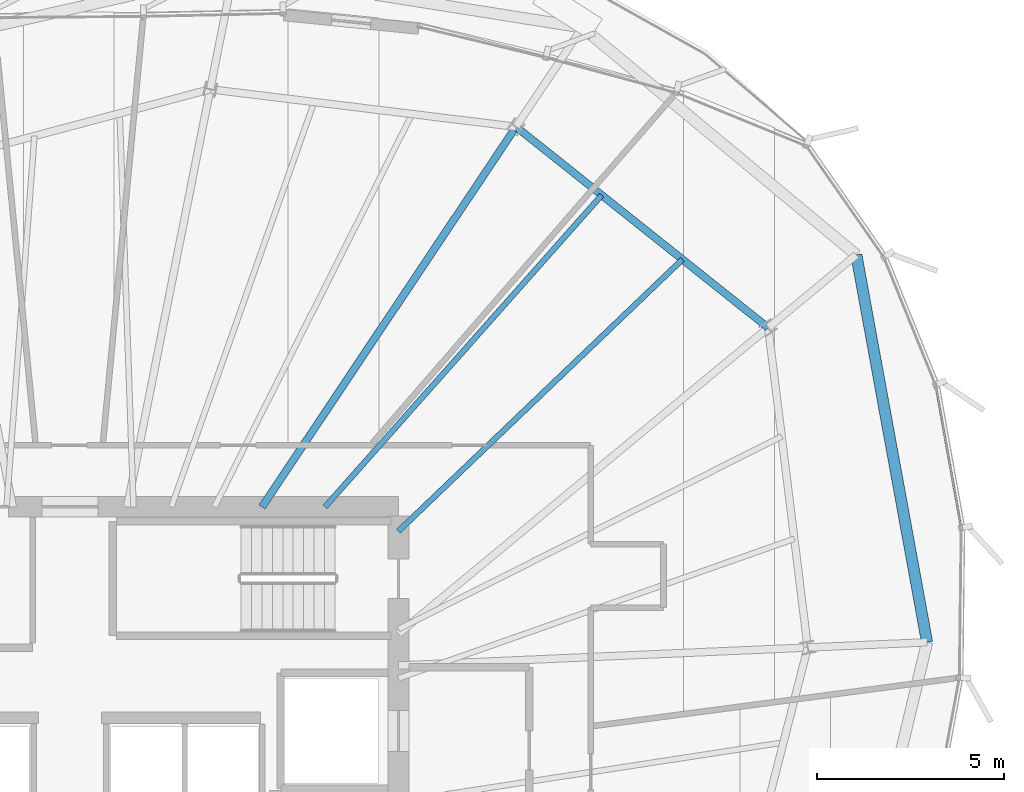
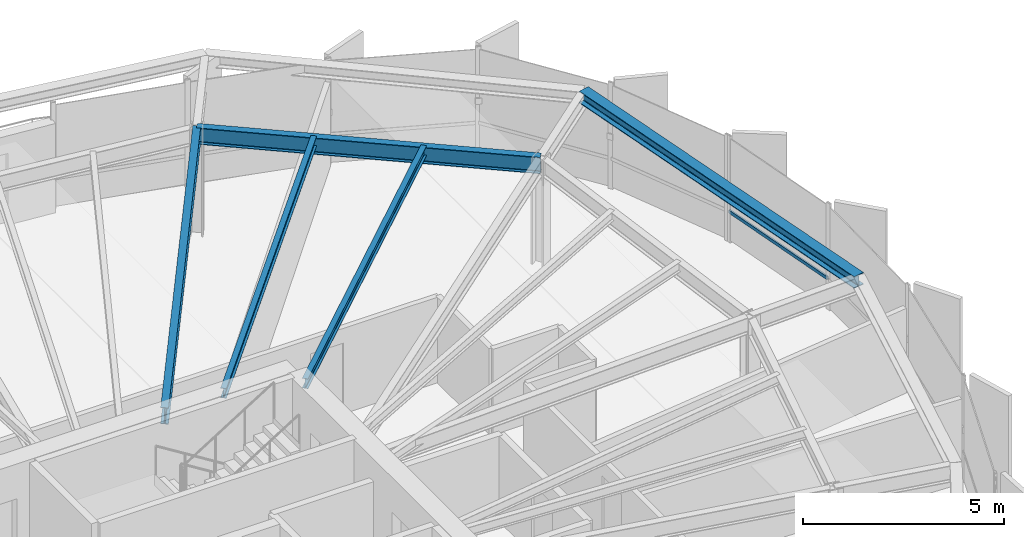
# One storey, part 27 of 37: 5 beams, 1 member, 1 element without a shape of its own.
"""IFC4 building model written with IfcOpenShell, lengths in metres."""

from ifc_helpers import new_model, si_unit, direction, frame, origin, origin_2d, place, context, subcontext, project, spatial, hollow_rectangle, i_section, extrude, source, transform, mapped, material, layer, layer_set, material_profile, profile_set, type_object, element, aggregate, save


model = new_model("IFC4")

# Units and contexts
model_context = context("Model", 3, precision=1e-05, world=origin(), true_north=direction((0.0, 1.0)))
body_context = subcontext(model_context, "Body", "Model", "MODEL_VIEW")
ifc_project = project(units=[si_unit("LENGTHUNIT", "METRE"), si_unit("AREAUNIT", "SQUARE_METRE"), si_unit("VOLUMEUNIT", "CUBIC_METRE"), si_unit("PLANEANGLEUNIT", "RADIAN"), si_unit("MASSUNIT", "GRAM", prefix="KILO"), si_unit("THERMODYNAMICTEMPERATUREUNIT", "KELVIN")], contexts=[model_context])

# Site, building, storey
site_placement = place(None, origin())
site = spatial("IfcSite", under=ifc_project, at=site_placement, CompositionType="ELEMENT")
building_placement = place(site_placement, origin())
building = spatial("IfcBuilding", under=site, at=building_placement, Name="Kethvar Cultural Tower", CompositionType="ELEMENT")
storey_placement = place(building_placement, frame((0.0, 0.0, 200.89990234375)))
storey = spatial("IfcBuildingStorey", under=building, at=storey_placement, Name="L52", CompositionType="ELEMENT", Elevation=200.89990234375)

# Beams
ifc_material_1 = material(Name="Steel S355J2", Category="steel")
ifc_material_profile_1 = material_profile(ifc_material_1, i_section(OverallWidth=0.199951171875, OverallDepth=0.5, WebThickness=0.01025390625, FlangeThickness=0.01611328125, FilletRadius=0.02099609375, at=origin_2d()), Name="Steel S355J2 — IPE500")
ifc_profile_set_1 = profile_set([ifc_material_profile_1], Name="Steel S355J2 — IPE500")
beam_type_1 = type_object("IfcBeamType", Name="BM-IPE500", PredefinedType="BEAM", material=ifc_profile_set_1)
shared_shape_1 = source(origin(), body_context, "Body", "SweptSolid", [
    extrude(i_section(OverallWidth=0.199951171875, OverallDepth=0.5, WebThickness=0.01025390625, FlangeThickness=0.01611328125, FilletRadius=0.02099609375, at=origin_2d()), origin(), (0.0, 0.0, 1.0), 12.2451171875),
])
beam_1_placement = place(storey_placement, frame((51.945068359375, 35.5, 3.008056640625), z_axis=(0.555569492312, 0.831470107227, 0.0), x_axis=(-0.831470107227, 0.555569492312, 0.0)))
element("IfcBeam", 1, at=beam_1_placement, inside=storey, type_object=beam_type_1, Name="L52 Primary Radial Beam RB-03", PredefinedType="BEAM", context=body_context, shape_type="MappedRepresentation", body=[
    mapped(shared_shape_1, transform((0.0, 0.0, 0.0), scale=1.0)),
])
shared_shape_2 = source(origin(), body_context, "Body", "SweptSolid", [
    extrude(i_section(OverallWidth=0.199951171875, OverallDepth=0.5, WebThickness=0.01025390625, FlangeThickness=0.01611328125, FilletRadius=0.02099609375, at=origin_2d()), origin(), (0.0, 0.0, 1.0), 8.638916015625),
])
beam_2_placement = place(storey_placement, frame((65.504150390625, 40.297607421875, 3.008056640625), z_axis=(-0.782058475366, 0.623205055425, 0.0), x_axis=(-0.623205055425, -0.782058475366, 0.0)))
element("IfcBeam", 2, at=beam_2_placement, inside=storey, type_object=beam_type_1, Name="L52 Column Ring Tie Beam CR-02", PredefinedType="BEAM", context=body_context, shape_type="MappedRepresentation", body=[
    mapped(shared_shape_2, transform((0.0, 0.0, 0.0), scale=1.0)),
])
ifc_material_profile_2 = material_profile(ifc_material_1, i_section(OverallWidth=0.14990234375, OverallDepth=0.300048828125, WebThickness=0.007080078125, FlangeThickness=0.0107421875, FilletRadius=0.014892578125, at=origin_2d()), Name="Steel S355J2 — IPE300")
ifc_profile_set_2 = profile_set([ifc_material_profile_2], Name="Steel S355J2 — IPE300")
beam_type_2 = type_object("IfcBeamType", Name="BM-J300", PredefinedType="JOIST", material=ifc_profile_set_2)
shared_shape_3 = source(origin(), body_context, "Body", "SweptSolid", [
    extrude(i_section(OverallWidth=0.14990234375, OverallDepth=0.300048828125, WebThickness=0.007080078125, FlangeThickness=0.0107421875, FilletRadius=0.014892578125, at=origin_2d()), origin(), (0.0, 0.0, 1.0), 10.52783203125),
])
beam_3_placement = place(storey_placement, frame((55.60009765625, 34.85009765625, 3.108154296875), z_axis=(0.722552708299, 0.691315835006, 0.0), x_axis=(-0.691315835006, 0.722552708299, 0.0)))
element("IfcBeam", 3, at=beam_3_placement, inside=storey, type_object=beam_type_2, Name="L52 Composite Floor Joist J-02A", PredefinedType="JOIST", context=body_context, shape_type="MappedRepresentation", body=[
    mapped(shared_shape_3, transform((0.0, 0.0, 0.0), scale=1.0)),
])
shared_shape_4 = source(origin(), body_context, "Body", "SweptSolid", [
    extrude(i_section(OverallWidth=0.14990234375, OverallDepth=0.300048828125, WebThickness=0.007080078125, FlangeThickness=0.0107421875, FilletRadius=0.014892578125, at=origin_2d()), origin(), (0.0, 0.0, 1.0), 11.16552734375),
])
beam_4_placement = place(storey_placement, frame((53.6337890625, 35.5, 3.108154296875), z_axis=(0.663773261048, 0.747933859321, 0.0), x_axis=(-0.747933859321, 0.663773261048, 0.0)))
element("IfcBeam", 4, at=beam_4_placement, inside=storey, type_object=beam_type_2, Name="L52 Composite Floor Joist J-02B", PredefinedType="JOIST", context=body_context, shape_type="MappedRepresentation", body=[
    mapped(shared_shape_4, transform((0.0, 0.0, 0.0), scale=1.0)),
])
ifc_material_profile_3 = material_profile(ifc_material_1, i_section(OverallWidth=0.300048828125, OverallDepth=0.360107421875, WebThickness=0.012451171875, FlangeThickness=0.0224609375, FilletRadius=0.027099609375, at=origin_2d()), Name="Steel S355J2 — HEB360")
ifc_profile_set_3 = profile_set([ifc_material_profile_3], Name="Steel S355J2 — HEB360")
beam_type_3 = type_object("IfcBeamType", Name="BM-SP360", PredefinedType="SPANDREL", material=ifc_profile_set_3)
shared_shape_5 = source(origin(), body_context, "Body", "SweptSolid", [
    extrude(i_section(OverallWidth=0.300048828125, OverallDepth=0.360107421875, WebThickness=0.012451171875, FlangeThickness=0.0224609375, FilletRadius=0.027099609375, at=origin_2d()), origin(), (0.0, 0.0, 1.0), 10.5517578125),
])
beam_5_placement = place(storey_placement, frame((69.760986328125, 31.87158203125, 3.078125), z_axis=(-0.17973239088, 0.983715542049, 0.0), x_axis=(-0.983715542049, -0.17973239088, 0.0)))
element("IfcBeam", 5, at=beam_5_placement, inside=storey, type_object=beam_type_3, Name="L52 Perimeter Spandrel Beam SP-01", PredefinedType="SPANDREL", context=body_context, shape_type="MappedRepresentation", body=[
    mapped(shared_shape_5, transform((0.0, 0.0, 0.0), scale=1.0)),
])

# Curtain wall, member
ifc_material_2 = material(Name="Aluminium 6063-T6", Category="aluminium")
ifc_layer = layer(ifc_material_2, 0.179931640625, Name="Aluminium 6063-T6", Category="aluminium")
ifc_layer_set = layer_set([ifc_layer], Name="Aluminium 6063-T6 (180 mm)")
curtain_wall_type = type_object("IfcCurtainWallType", Name="CW-SYS-04-Z34", PredefinedType="NOTDEFINED", material=ifc_layer_set)
curtain_wall_placement = place(storey_placement, origin())
curtain_wall = element("IfcCurtainWall", 6, at=curtain_wall_placement, inside=storey, type_object=curtain_wall_type, Name="L52 Curtain Wall Run 06", PredefinedType="NOTDEFINED")
ifc_material_profile_4 = material_profile(ifc_material_2, hollow_rectangle(XDim=0.050048828125, YDim=0.10009765625, WallThickness=0.00390625, at=origin_2d()), Name="Aluminium 6063-T6 — RHS100x50x4")
ifc_profile_set_4 = profile_set([ifc_material_profile_4], Name="Aluminium 6063-T6 — RHS100x50x4")
member_type = type_object("IfcMemberType", Name="CW-SYS-04-Z34-TRN", PredefinedType="USERDEFINED", material=ifc_profile_set_4)
shared_shape_6 = source(origin(), body_context, "Body", "SweptSolid", [
    extrude(hollow_rectangle(XDim=0.050048828125, YDim=0.10009765625, WallThickness=0.00390625, at=origin_2d()), origin(), (0.0, 0.0, 1.0), 3.791015625),
])
member_placement = place(storey_placement, frame((70.666748046875, 34.981201171875, 0.9501953125), z_axis=(-0.176136115119, 0.984365820694, 0.0), x_axis=(-0.984365820694, -0.176136115119, 0.0)))
member = element("IfcMember", 7, at=member_placement, type_object=member_type, Name="CW-L52-R06 Transom 6", ObjectType="TRANSOM", PredefinedType="USERDEFINED", context=body_context, shape_type="MappedRepresentation", body=[
    mapped(shared_shape_6, transform((0.0, 0.0, 0.0), scale=1.0)),
])
aggregate(curtain_wall, [member])

save(model, "model.ifc")
